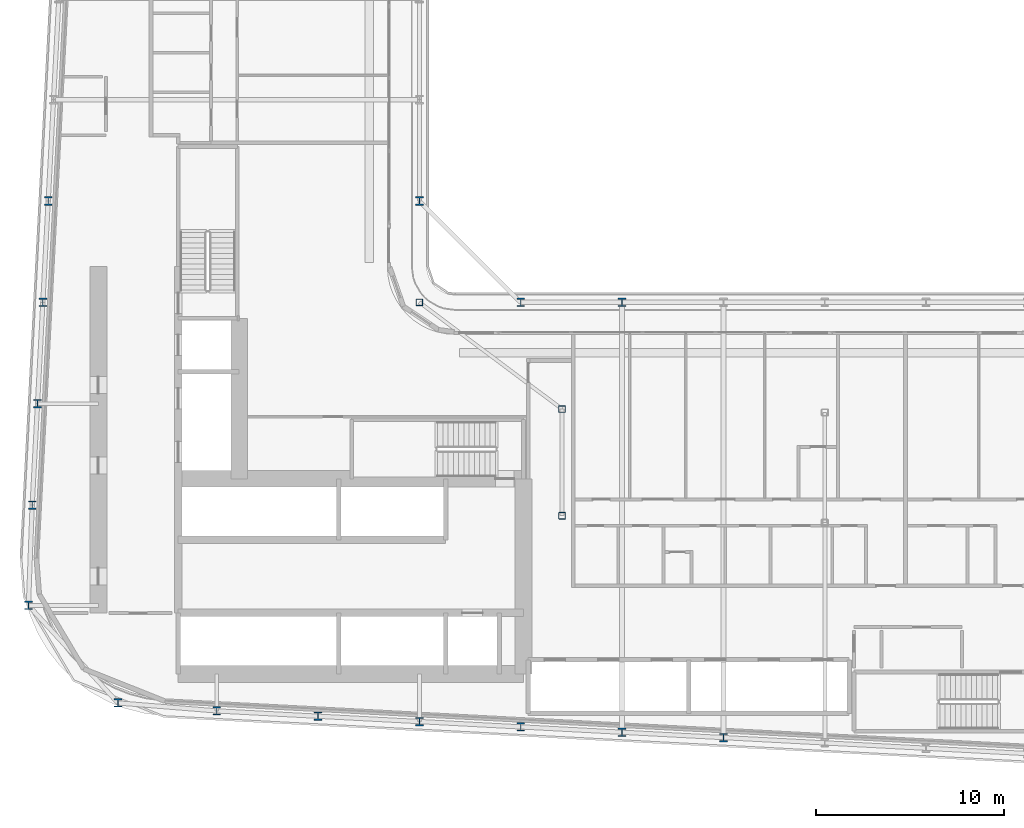
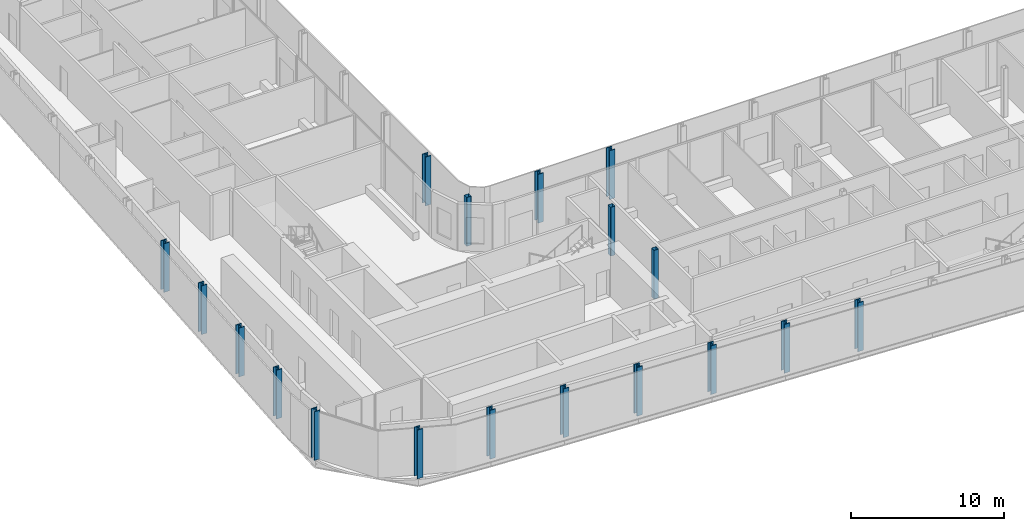
# One storey, part 1 of 28: 18 columns.
"""IFC4 building model written with IfcOpenShell, lengths in metres."""

from ifc_helpers import new_model, si_unit, direction, frame, origin, origin_2d, place, context, subcontext, project, spatial, hollow_rectangle, i_section, extrude, material, material_profile, profile_set, type_object, element, save


model = new_model("IFC4")

# Units and contexts
model_context = context("Model", 3, precision=1e-05, world=origin(), true_north=direction((0.0, 1.0)))
body_context = subcontext(model_context, "Body", "Model", "MODEL_VIEW")
ifc_project = project(units=[si_unit("LENGTHUNIT", "METRE"), si_unit("AREAUNIT", "SQUARE_METRE"), si_unit("VOLUMEUNIT", "CUBIC_METRE"), si_unit("PLANEANGLEUNIT", "RADIAN"), si_unit("MASSUNIT", "GRAM", prefix="KILO")], contexts=[model_context])

# Site, building, storey
site_placement = place(None, origin())
site = spatial("IfcSite", under=ifc_project, at=site_placement, CompositionType="ELEMENT")
building_placement = place(site_placement, origin())
building = spatial("IfcBuilding", under=site, at=building_placement, Name="Kheshtan School and Residences Tower", CompositionType="ELEMENT")
storey_placement = place(building_placement, frame((0.0, 0.0, 137.0)))
storey = spatial("IfcBuildingStorey", under=building, at=storey_placement, Name="L32", CompositionType="ELEMENT", Elevation=137.0)

# Columns
ifc_material_1 = material(Name="Steel ASTM A992 Grade 50", Category="steel")
ifc_material_profile_1 = material_profile(ifc_material_1, i_section(OverallWidth=0.41796875, OverallDepth=0.455078125, WebThickness=0.042236328125, FlangeThickness=0.067626953125, FilletRadius=0.013671875, at=origin_2d()), Name="W360x551")
ifc_profile_set_1 = profile_set([ifc_material_profile_1], Name="Steel ASTM A992 Grade 50")
column_type_1 = type_object("IfcColumnType", Name="Column C2 W360x551 ASTM A992 Grade 50", PredefinedType="COLUMN", material=ifc_profile_set_1)
for number, where, z_axis, x_axis, name in (
    (1, (63.800048828125, 22.410888671875, 0.0), (0.0, 0.0, 1.0), (1.0, 0.0, 0.0), "Column C016"),
    (2, (58.39990234375, 22.695068359375, 0.0), (0.0, 0.0, 1.0), (1.0, 0.0, 0.0), "Column C018"),
    (3, (53.0, 22.97998046875, 0.0), (0.0, 0.0, 1.0), (1.0, 0.0, 0.0), "Column C019"),
    (4, (47.60009765625, 23.263916015625, 0.0), (0.0, 0.0, 1.0), (1.0, 0.0, 0.0), "Column C020"),
    (5, (42.199951171875, 23.548095703125, 0.0), (0.0, 0.0, 1.0), (1.0, 0.0, 0.0), "Column C021"),
    (6, (36.800048828125, 23.83203125, 0.0), (0.0, 0.0, 1.0), (1.0, 0.0, 0.0), "Column C022"),
    (7, (31.5419921875, 24.257080078125, 0.0), (0.0, 0.0, 1.0), (1.0, 0.0, 0.0), "Column C025"),
    (8, (26.76904296875, 29.4541015625, 0.0), (0.0, 0.0, 1.0), (1.0, 0.0, 0.0), "Column C038"),
    (9, (26.968994140625, 34.800048828125, 0.0), (0.0, 0.0, 1.0), (1.0, 0.0, 0.0), "Column C052"),
    (10, (27.2529296875, 40.199951171875, 0.0), (0.0, 0.0, 1.0), (1.0, 0.0, 0.0), "Column C056"),
    (11, (27.537109375, 45.60009765625, 0.0), (0.0, 0.0, 1.0), (1.0, 0.0, 0.0), "Column C059"),
    (12, (53.0, 45.60009765625, 0.0), (0.0, 0.0, 1.0), (1.0, 0.0, 0.0), "Column C061"),
    (13, (58.39990234375, 45.60009765625, 0.0), (0.0, 0.0, 1.0), (1.0, 0.0, 0.0), "Column C062"),
    (14, (27.822021484375, 51.0, 0.0), (0.0, 0.0, 1.0), (1.0, 0.0, 0.0), "Column C078"),
    (15, (47.60009765625, 51.0, 0.0), (0.0, 0.0, 1.0), (1.0, 0.0, 0.0), "Column C079"),
):
    element("IfcColumn", number, at=place(storey_placement, frame(where, z_axis=z_axis, x_axis=x_axis)), inside=storey, type_object=column_type_1, Name=name, PredefinedType="COLUMN", context=body_context, shape_type="SweptSolid", body=[
        extrude(i_section(OverallWidth=0.41796875, OverallDepth=0.455078125, WebThickness=0.042236328125, FlangeThickness=0.067626953125, FilletRadius=0.013671875, at=origin_2d()), origin(), (0.0, 0.0, 1.0), 3.89990234375),
    ])
ifc_material_2 = material(Name="Steel ASTM A500 Grade C", Category="steel")
ifc_material_profile_2 = material_profile(ifc_material_2, hollow_rectangle(XDim=0.35595703125, YDim=0.35595703125, WallThickness=0.015869140625, InnerFilletRadius=0.015869140625, OuterFilletRadius=0.03173828125, at=origin_2d()), Name="HSS 356x356x15.9")
ifc_profile_set_2 = profile_set([ifc_material_profile_2], Name="Steel ASTM A500 Grade C")
column_type_2 = type_object("IfcColumnType", Name="Column IC1 HSS 356x356x15.9 ASTM A500 Grade C", PredefinedType="COLUMN", material=ifc_profile_set_2)
for number, where, z_axis, x_axis, name in (
    (16, (55.199951171875, 34.23193359375, 0.0), (0.0, 0.0, 1.0), (1.0, 0.0, 0.0), "Column C051"),
    (17, (55.199951171875, 39.916015625, 0.0), (0.0, 0.0, 1.0), (1.0, 0.0, 0.0), "Column C055"),
    (18, (47.60009765625, 45.60009765625, 0.0), (0.0, 0.0, 1.0), (1.0, 0.0, 0.0), "Column C060"),
):
    element("IfcColumn", number, at=place(storey_placement, frame(where, z_axis=z_axis, x_axis=x_axis)), inside=storey, type_object=column_type_2, Name=name, PredefinedType="COLUMN", context=body_context, shape_type="SweptSolid", body=[
        extrude(hollow_rectangle(XDim=0.35595703125, YDim=0.35595703125, WallThickness=0.015869140625, InnerFilletRadius=0.015869140625, OuterFilletRadius=0.03173828125, at=origin_2d()), origin(), (0.0, 0.0, 1.0), 3.89990234375),
    ])

save(model, "model.ifc")
